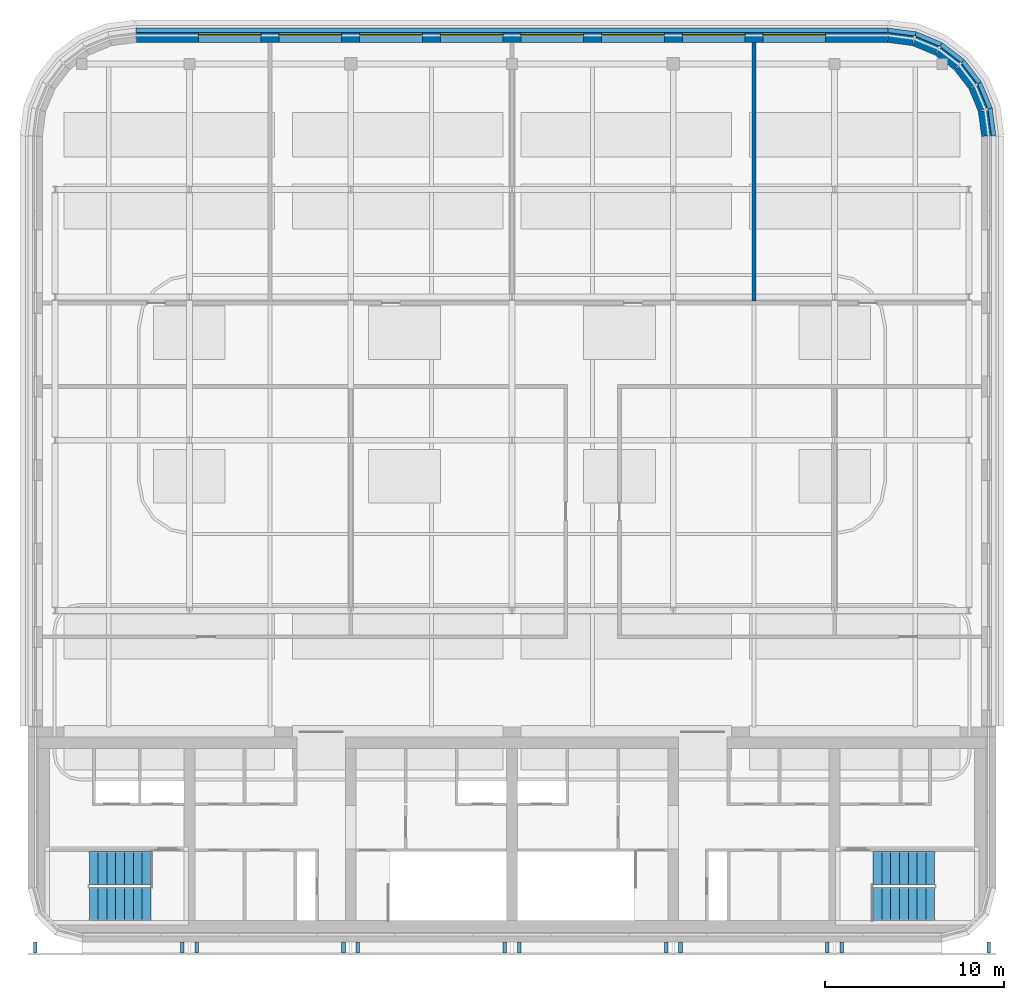
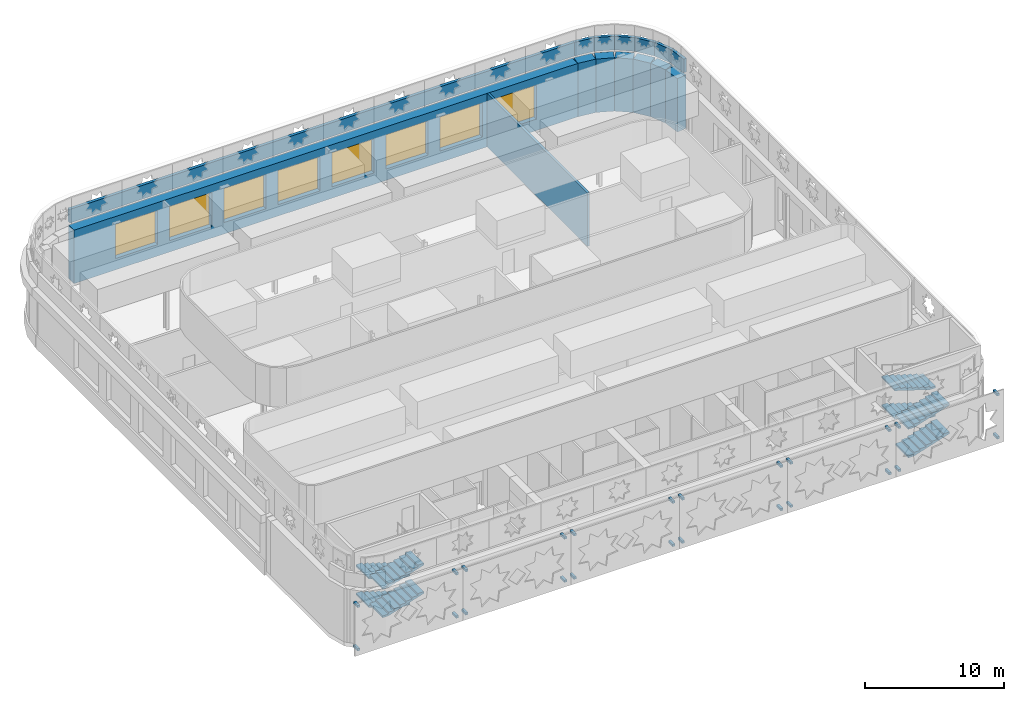
# One storey, part 9 of 14: 24 discrete accessories, 15 walls, 8 stair flights, 8 windows, 8 openings, 2 elements without a shape of their own.
"""IFC4 building model written with IfcOpenShell, lengths in metres."""

from ifc_helpers import new_model, si_unit, direction, frame, frame_2d, origin, origin_2d, place, context, subcontext, project, spatial, polyline, rectangle, outline, extrude, material, layer, layer_set, type_object, element, fill, aggregate, save


model = new_model("IFC4")

# Units and contexts
model_context = context("Model", 3, precision=1e-05, world=origin(), true_north=direction((0.0, 1.0)))
body_context = subcontext(model_context, "Body", "Model", "MODEL_VIEW")
ifc_project = project(units=[si_unit("LENGTHUNIT", "METRE"), si_unit("AREAUNIT", "SQUARE_METRE"), si_unit("VOLUMEUNIT", "CUBIC_METRE"), si_unit("PLANEANGLEUNIT", "RADIAN"), si_unit("MASSUNIT", "GRAM", prefix="KILO")], contexts=[model_context])

# Site, building, storey
site_placement = place(None, origin())
site = spatial("IfcSite", under=ifc_project, at=site_placement, CompositionType="ELEMENT")
building_placement = place(site_placement, origin())
building = spatial("IfcBuilding", under=site, at=building_placement, Name="Zellij Exchange Tower", CompositionType="ELEMENT")
storey_placement = place(building_placement, frame((0.0, 0.0, 305.5)))
storey = spatial("IfcBuildingStorey", under=building, at=storey_placement, Name="L71", CompositionType="ELEMENT", Elevation=305.5)

# Walls
ifc_material_1 = material(Name="Precast concrete C40/50", Category="concrete")
ifc_layer_1 = layer(ifc_material_1, 0.800048828125)
ifc_layer_set_1 = layer_set([ifc_layer_1], Name="Precast concrete C40/50")
wall_type_1 = type_object("IfcWallType", Name="ENV-EW1 Precast stone-piered wall 800", PredefinedType="SOLIDWALL", material=ifc_layer_set_1)
wall_1_placement = place(storey_placement, frame((26.5966796875, 30.999755859375, 0.0), z_axis=(0.0, 0.0, 1.0), x_axis=(-0.130517283865, 0.99144603414, 0.0)))
element("IfcWall", 1, at=wall_1_placement, inside=storey, type_object=wall_type_1, Name="fac.L71.05", PredefinedType="SOLIDWALL", context=body_context, shape_type="SweptSolid", body=[
    extrude(rectangle(XDim=1.408447265625, YDim=0.800048828125, at=frame_2d((0.7041015625, 0.0))), origin(), (0.0, 0.0, 1.0), 4.699951171875),
])
wall_2_placement = place(storey_placement, frame((26.3857421875, 32.497314453125, 0.0), z_axis=(0.0, 0.0, 1.0), x_axis=(-0.38276009378, 0.923847774587, 0.0)))
element("IfcWall", 2, at=wall_2_placement, inside=storey, type_object=wall_type_1, Name="fac.L71.06", PredefinedType="SOLIDWALL", context=body_context, shape_type="SweptSolid", body=[
    extrude(rectangle(XDim=1.35546875, YDim=0.800048828125, at=frame_2d((0.677734375, 0.0))), origin(), (0.0, 0.0, 1.0), 4.699951171875),
])
for number, where, z_axis, x_axis, name in (
    (3, (25.814697265625, 33.840087890625, 0.0), (0.0, 0.0, 1.0), (-0.608866226366, 0.793272915452, 0.0), "fac.L71.07"),
    (4, (24.91552734375, 34.9892578125, 0.0), (0.0, 0.0, 1.0), (-0.793272915452, 0.608866226366, 0.0), "fac.L71.08"),
):
    element("IfcWall", number, at=place(storey_placement, frame(where, z_axis=z_axis, x_axis=x_axis)), inside=storey, type_object=wall_type_1, Name=name, PredefinedType="SOLIDWALL", context=body_context, shape_type="SweptSolid", body=[
        extrude(rectangle(XDim=1.355712890625, YDim=0.800048828125, at=frame_2d((0.677734375, 0.0))), origin(), (0.0, 0.0, 1.0), 4.699951171875),
    ])
wall_3_placement = place(storey_placement, frame((23.74951171875, 35.866943359375, 0.0), z_axis=(0.0, 0.0, 1.0), x_axis=(-0.923847774587, 0.38276009378, 0.0)))
element("IfcWall", 5, at=wall_3_placement, inside=storey, type_object=wall_type_1, Name="fac.L71.09", PredefinedType="SOLIDWALL", context=body_context, shape_type="SweptSolid", body=[
    extrude(rectangle(XDim=1.35546875, YDim=0.800048828125, at=frame_2d((0.677734375, 0.0))), origin(), (0.0, 0.0, 1.0), 4.699951171875),
])
wall_4_placement = place(storey_placement, frame((22.396240234375, 36.412841796875, 0.0), z_axis=(0.0, 0.0, 1.0), x_axis=(-0.99144603414, 0.130517283865, 0.0)))
element("IfcWall", 6, at=wall_4_placement, inside=storey, type_object=wall_type_1, Name="fac.L71.10", PredefinedType="SOLIDWALL", context=body_context, shape_type="SweptSolid", body=[
    extrude(rectangle(XDim=1.408447265625, YDim=0.800048828125, at=frame_2d((0.7041015625, 0.0))), origin(), (0.0, 0.0, 1.0), 4.699951171875),
])

# Wall, openings, windows
wall_5_placement = place(storey_placement, frame((20.947509765625, 36.60009765625, 0.0), z_axis=(0.0, 0.0, 1.0), x_axis=(-1.0, 0.0, 0.0)))
wall_5 = element("IfcWall", 7, at=wall_5_placement, inside=storey, type_object=wall_type_1, Name="fac.L71.11", PredefinedType="SOLIDWALL", context=body_context, shape_type="SweptSolid", body=[
    extrude(rectangle(XDim=41.89501953125, YDim=0.800048828125, at=frame_2d((20.947509765625, 0.0))), origin(), (0.0, 0.0, 1.0), 4.699951171875),
])
opening_1_placement = place(wall_5_placement, frame((3.447509765625, 0.0, 1.0)))
opening_1 = element("IfcOpeningElement", 8, at=opening_1_placement, cuts=wall_5, Name="Opening FR.07", PredefinedType="OPENING", context=body_context, shape_type="SweptSolid", body=[
    extrude(rectangle(XDim=3.5, YDim=3.0, at=frame_2d((1.75, 1.5))), frame((0.0, 0.412109375, 0.0), z_axis=(0.0, -1.0, 0.0), x_axis=(1.0, 0.0, 0.0)), (0.0, 0.0, 1.0), 0.823974609375),
])
opening_2_placement = place(wall_5_placement, frame((7.947509765625, 0.0, 1.0)))
opening_2 = element("IfcOpeningElement", 9, at=opening_2_placement, cuts=wall_5, Name="Opening FR.08", PredefinedType="OPENING", context=body_context, shape_type="SweptSolid", body=[
    extrude(rectangle(XDim=3.5, YDim=3.0, at=frame_2d((1.75, 1.5))), frame((0.0, 0.412109375, 0.0), z_axis=(0.0, -1.0, 0.0), x_axis=(1.0, 0.0, 0.0)), (0.0, 0.0, 1.0), 0.823974609375),
])
opening_3_placement = place(wall_5_placement, frame((12.447509765625, 0.0, 1.0)))
opening_3 = element("IfcOpeningElement", 10, at=opening_3_placement, cuts=wall_5, Name="Opening FR.09", PredefinedType="OPENING", context=body_context, shape_type="SweptSolid", body=[
    extrude(rectangle(XDim=3.5, YDim=3.0, at=frame_2d((1.75, 1.5))), frame((0.0, 0.412109375, 0.0), z_axis=(0.0, -1.0, 0.0), x_axis=(1.0, 0.0, 0.0)), (0.0, 0.0, 1.0), 0.823974609375),
])
opening_4_placement = place(wall_5_placement, frame((16.947509765625, 0.0, 1.0)))
opening_4 = element("IfcOpeningElement", 11, at=opening_4_placement, cuts=wall_5, Name="Opening FR.10", PredefinedType="OPENING", context=body_context, shape_type="SweptSolid", body=[
    extrude(rectangle(XDim=3.5, YDim=3.0, at=frame_2d((1.75, 1.5))), frame((0.0, 0.412109375, 0.0), z_axis=(0.0, -1.0, 0.0), x_axis=(1.0, 0.0, 0.0)), (0.0, 0.0, 1.0), 0.823974609375),
])
opening_5_placement = place(wall_5_placement, frame((21.447509765625, 0.0, 1.0)))
opening_5 = element("IfcOpeningElement", 12, at=opening_5_placement, cuts=wall_5, Name="Opening FR.11", PredefinedType="OPENING", context=body_context, shape_type="SweptSolid", body=[
    extrude(rectangle(XDim=3.5, YDim=3.0, at=frame_2d((1.75, 1.5))), frame((0.0, 0.412109375, 0.0), z_axis=(0.0, -1.0, 0.0), x_axis=(1.0, 0.0, 0.0)), (0.0, 0.0, 1.0), 0.823974609375),
])
opening_6_placement = place(wall_5_placement, frame((25.947509765625, 0.0, 1.0)))
opening_6 = element("IfcOpeningElement", 13, at=opening_6_placement, cuts=wall_5, Name="Opening FR.12", PredefinedType="OPENING", context=body_context, shape_type="SweptSolid", body=[
    extrude(rectangle(XDim=3.5, YDim=3.0, at=frame_2d((1.75, 1.5))), frame((0.0, 0.412109375, 0.0), z_axis=(0.0, -1.0, 0.0), x_axis=(1.0, 0.0, 0.0)), (0.0, 0.0, 1.0), 0.823974609375),
])
opening_7_placement = place(wall_5_placement, frame((30.447509765625, 0.0, 1.0)))
opening_7 = element("IfcOpeningElement", 14, at=opening_7_placement, cuts=wall_5, Name="Opening FR.13", PredefinedType="OPENING", context=body_context, shape_type="SweptSolid", body=[
    extrude(rectangle(XDim=3.5, YDim=3.0, at=frame_2d((1.75, 1.5))), frame((0.0, 0.412109375, 0.0), z_axis=(0.0, -1.0, 0.0), x_axis=(1.0, 0.0, 0.0)), (0.0, 0.0, 1.0), 0.823974609375),
])
opening_8_placement = place(wall_5_placement, frame((34.947509765625, 0.0, 1.0)))
opening_8 = element("IfcOpeningElement", 15, at=opening_8_placement, cuts=wall_5, Name="Opening FR.14", PredefinedType="OPENING", context=body_context, shape_type="SweptSolid", body=[
    extrude(rectangle(XDim=3.5, YDim=3.0, at=frame_2d((1.75, 1.5))), frame((0.0, 0.412109375, 0.0), z_axis=(0.0, -1.0, 0.0), x_axis=(1.0, 0.0, 0.0)), (0.0, 0.0, 1.0), 0.823974609375),
])
ifc_material_2 = material(Name="Aluminium louvre", Category="aluminium")
window_type = type_object("IfcWindowType", Name="ENV-W4 Window 3500x3000", PartitioningType="SINGLE_PANEL", PredefinedType="WINDOW", material=ifc_material_2)
window_1_placement = place(opening_1_placement, origin())
window_1 = element("IfcWindow", 16, at=window_1_placement, inside=storey, type_object=window_type, Name="Window FR.07", OverallHeight=3.0, OverallWidth=3.5, PartitioningType="SINGLE_PANEL", PredefinedType="WINDOW", context=body_context, shape_type="SweptSolid", body=[
    extrude(rectangle(XDim=3.5, YDim=3.0, at=frame_2d((1.75, 1.5))), frame((0.0, 0.030029296875, 0.0), z_axis=(0.0, -1.0, 0.0), x_axis=(1.0, 0.0, 0.0)), (0.0, 0.0, 1.0), 0.06005859375),
])
fill(opening_1, window_1)
window_2_placement = place(opening_2_placement, origin())
window_2 = element("IfcWindow", 17, at=window_2_placement, inside=storey, type_object=window_type, Name="Window FR.08", OverallHeight=3.0, OverallWidth=3.5, PartitioningType="SINGLE_PANEL", PredefinedType="WINDOW", context=body_context, shape_type="SweptSolid", body=[
    extrude(rectangle(XDim=3.5, YDim=3.0, at=frame_2d((1.75, 1.5))), frame((0.0, 0.030029296875, 0.0), z_axis=(0.0, -1.0, 0.0), x_axis=(1.0, 0.0, 0.0)), (0.0, 0.0, 1.0), 0.06005859375),
])
fill(opening_2, window_2)
window_3_placement = place(opening_3_placement, origin())
window_3 = element("IfcWindow", 18, at=window_3_placement, inside=storey, type_object=window_type, Name="Window FR.09", OverallHeight=3.0, OverallWidth=3.5, PartitioningType="SINGLE_PANEL", PredefinedType="WINDOW", context=body_context, shape_type="SweptSolid", body=[
    extrude(rectangle(XDim=3.5, YDim=3.0, at=frame_2d((1.75, 1.5))), frame((0.0, 0.030029296875, 0.0), z_axis=(0.0, -1.0, 0.0), x_axis=(1.0, 0.0, 0.0)), (0.0, 0.0, 1.0), 0.06005859375),
])
fill(opening_3, window_3)
window_4_placement = place(opening_4_placement, origin())
window_4 = element("IfcWindow", 19, at=window_4_placement, inside=storey, type_object=window_type, Name="Window FR.10", OverallHeight=3.0, OverallWidth=3.5, PartitioningType="SINGLE_PANEL", PredefinedType="WINDOW", context=body_context, shape_type="SweptSolid", body=[
    extrude(rectangle(XDim=3.5, YDim=3.0, at=frame_2d((1.75, 1.5))), frame((0.0, 0.030029296875, 0.0), z_axis=(0.0, -1.0, 0.0), x_axis=(1.0, 0.0, 0.0)), (0.0, 0.0, 1.0), 0.06005859375),
])
fill(opening_4, window_4)
window_5_placement = place(opening_5_placement, origin())
window_5 = element("IfcWindow", 20, at=window_5_placement, inside=storey, type_object=window_type, Name="Window FR.11", OverallHeight=3.0, OverallWidth=3.5, PartitioningType="SINGLE_PANEL", PredefinedType="WINDOW", context=body_context, shape_type="SweptSolid", body=[
    extrude(rectangle(XDim=3.5, YDim=3.0, at=frame_2d((1.75, 1.5))), frame((0.0, 0.030029296875, 0.0), z_axis=(0.0, -1.0, 0.0), x_axis=(1.0, 0.0, 0.0)), (0.0, 0.0, 1.0), 0.06005859375),
])
fill(opening_5, window_5)
window_6_placement = place(opening_6_placement, origin())
window_6 = element("IfcWindow", 21, at=window_6_placement, inside=storey, type_object=window_type, Name="Window FR.12", OverallHeight=3.0, OverallWidth=3.5, PartitioningType="SINGLE_PANEL", PredefinedType="WINDOW", context=body_context, shape_type="SweptSolid", body=[
    extrude(rectangle(XDim=3.5, YDim=3.0, at=frame_2d((1.75, 1.5))), frame((0.0, 0.030029296875, 0.0), z_axis=(0.0, -1.0, 0.0), x_axis=(1.0, 0.0, 0.0)), (0.0, 0.0, 1.0), 0.06005859375),
])
fill(opening_6, window_6)
window_7_placement = place(opening_7_placement, origin())
window_7 = element("IfcWindow", 22, at=window_7_placement, inside=storey, type_object=window_type, Name="Window FR.13", OverallHeight=3.0, OverallWidth=3.5, PartitioningType="SINGLE_PANEL", PredefinedType="WINDOW", context=body_context, shape_type="SweptSolid", body=[
    extrude(rectangle(XDim=3.5, YDim=3.0, at=frame_2d((1.75, 1.5))), frame((0.0, 0.030029296875, 0.0), z_axis=(0.0, -1.0, 0.0), x_axis=(1.0, 0.0, 0.0)), (0.0, 0.0, 1.0), 0.06005859375),
])
fill(opening_7, window_7)
window_8_placement = place(opening_8_placement, origin())
window_8 = element("IfcWindow", 23, at=window_8_placement, inside=storey, type_object=window_type, Name="Window FR.14", OverallHeight=3.0, OverallWidth=3.5, PartitioningType="SINGLE_PANEL", PredefinedType="WINDOW", context=body_context, shape_type="SweptSolid", body=[
    extrude(rectangle(XDim=3.5, YDim=3.0, at=frame_2d((1.75, 1.5))), frame((0.0, 0.030029296875, 0.0), z_axis=(0.0, -1.0, 0.0), x_axis=(1.0, 0.0, 0.0)), (0.0, 0.0, 1.0), 0.06005859375),
])
fill(opening_8, window_8)

# Walls
ifc_layer_2 = layer(ifc_material_1, 0.25)
ifc_layer_set_2 = layer_set([ifc_layer_2], Name="Precast concrete C40/50")
wall_type_2 = type_object("IfcWallType", Name="ENV-PR1 Parapet 250", PredefinedType="PARAPET", material=ifc_layer_set_2)
wall_6_placement = place(storey_placement, frame((26.875, 30.99169921875, 5.0), z_axis=(0.0, 0.0, 1.0), x_axis=(-0.130483186444, 0.991450522243, 0.0)))
element("IfcWall", 24, at=wall_6_placement, inside=storey, type_object=wall_type_2, Name="fac.par.roof.05.00000.01", PredefinedType="PARAPET", context=body_context, shape_type="SweptSolid", body=[
    extrude(rectangle(XDim=1.541748046875, YDim=0.25, at=frame_2d((0.77099609375, 0.0))), origin(), (0.0, 0.0, 1.0), 1.199951171875),
])
wall_7_placement = place(storey_placement, frame((26.673828125, 32.520263671875, 5.0), z_axis=(0.0, 0.0, 1.0), x_axis=(-0.382726739509, 0.923861592916, 0.0)))
element("IfcWall", 25, at=wall_7_placement, inside=storey, type_object=wall_type_2, Name="fac.par.roof.06.00000.01", PredefinedType="PARAPET", context=body_context, shape_type="SweptSolid", body=[
    extrude(rectangle(XDim=1.533447265625, YDim=0.25, at=frame_2d((0.7666015625, 0.0))), origin(), (0.0, 0.0, 1.0), 1.199951171875),
])
for number, where, z_axis, x_axis, name in (
    (26, (26.0869140625, 33.93701171875, 5.0), (0.0, 0.0, 1.0), (-0.608879373703, 0.793262824213, 0.0), "fac.par.roof.07.00000.01"),
    (27, (25.1533203125, 35.1533203125, 5.0), (0.0, 0.0, 1.0), (-0.793262824213, 0.608879373703, 0.0), "fac.par.roof.08.00000.01"),
):
    element("IfcWall", number, at=place(storey_placement, frame(where, z_axis=z_axis, x_axis=x_axis)), inside=storey, type_object=wall_type_2, Name=name, PredefinedType="PARAPET", context=body_context, shape_type="SweptSolid", body=[
        extrude(rectangle(XDim=1.533203125, YDim=0.25, at=frame_2d((0.7666015625, 0.0))), origin(), (0.0, 0.0, 1.0), 1.199951171875),
    ])
wall_8_placement = place(storey_placement, frame((23.93701171875, 36.0869140625, 5.0), z_axis=(0.0, 0.0, 1.0), x_axis=(-0.923861592916, 0.382726739509, 0.0)))
element("IfcWall", 28, at=wall_8_placement, inside=storey, type_object=wall_type_2, Name="fac.par.roof.09.00000.01", PredefinedType="PARAPET", context=body_context, shape_type="SweptSolid", body=[
    extrude(rectangle(XDim=1.533447265625, YDim=0.25, at=frame_2d((0.7666015625, 0.0))), origin(), (0.0, 0.0, 1.0), 1.199951171875),
])
wall_9_placement = place(storey_placement, frame((22.520263671875, 36.673828125, 5.0), z_axis=(0.0, 0.0, 1.0), x_axis=(-0.991450522243, 0.130483186444, 0.0)))
element("IfcWall", 29, at=wall_9_placement, inside=storey, type_object=wall_type_2, Name="fac.par.roof.10.00000.01", PredefinedType="PARAPET", context=body_context, shape_type="SweptSolid", body=[
    extrude(rectangle(XDim=1.541748046875, YDim=0.25, at=frame_2d((0.77099609375, 0.0))), origin(), (0.0, 0.0, 1.0), 1.199951171875),
])
wall_10_placement = place(storey_placement, frame((20.99169921875, 36.875, 5.0), z_axis=(0.0, 0.0, 1.0), x_axis=(-1.0, 0.0, 0.0)))
element("IfcWall", 30, at=wall_10_placement, inside=storey, type_object=wall_type_2, Name="fac.par.roof.11.00000.01", PredefinedType="PARAPET", context=body_context, shape_type="SweptSolid", body=[
    extrude(rectangle(XDim=41.9833984375, YDim=0.25, at=frame_2d((20.99169921875, 0.0))), origin(), (0.0, 0.0, 1.0), 1.199951171875),
])
ifc_material_3 = material(Name="Blockwork fire wall", Category="masonry")
ifc_layer_3 = layer(ifc_material_3, 0.199951171875)
ifc_layer_set_3 = layer_set([ifc_layer_3], Name="Blockwork fire wall")
wall_type_3 = type_object("IfcWallType", Name="FIT-BLOCKWORK-200-EI120", PredefinedType="PARTITIONING", material=ifc_layer_set_3)
wall_11_placement = place(storey_placement, frame((13.5, 21.760009765625, 0.0), z_axis=(0.0, 0.0, 1.0), x_axis=(0.0, 1.0, 0.0)))
element("IfcWall", 31, at=wall_11_placement, inside=storey, type_object=wall_type_3, Name="FIT-BLOCKWORK-200-EI120 018", PredefinedType="PARTITIONING", context=body_context, shape_type="SweptSolid", body=[
    extrude(rectangle(XDim=14.43994140625, YDim=0.199951171875, at=frame_2d((7.219970703125, 0.0))), origin(), (0.0, 0.0, 1.0), 4.699951171875),
])

# Stair, stair flights
ifc_material_4 = material(Name="Concrete C40/50", Category="concrete")
stair_type = type_object("IfcStairType", Name="CORE-ST exit stair 1850 wide", PredefinedType="HALF_TURN_STAIR", material=ifc_material_4)
stair_1_placement = place(storey_placement, origin())
stair_1 = element("IfcStair", 32, at=stair_1_placement, inside=storey, type_object=stair_type, Name="L71 exit stair ST1", PredefinedType="HALF_TURN_STAIR")
stair_flight_type = type_object("IfcStairFlightType", Name="CORE-SF flight 1850 riser 156.2 going 490", PredefinedType="STRAIGHT", material=ifc_material_4)
stair_flight_1_placement = place(storey_placement, frame((-20.14990234375, -9.875, 0.0), z_axis=(0.0, 0.0, 1.0), x_axis=(-1.0, 0.0, 0.0)))
stair_flight_1 = element("IfcStairFlight", 33, at=stair_flight_1_placement, type_object=stair_flight_type, Name="ST1 flight 1", NumberOfRisers=8, NumberOfTreads=7, PredefinedType="STRAIGHT", RiserHeight=0.15625, TreadLength=0.49, context=body_context, shape_type="SweptSolid", body=[
    extrude(outline(polyline([(0.0, 0.0), (0.0, 0.15625), (0.489990234375, 0.15625), (0.489990234375, 0.3125), (0.97998046875, 0.3125), (0.97998046875, 0.46875), (1.469970703125, 0.46875), (1.469970703125, 0.625), (1.9599609375, 0.625), (1.9599609375, 0.78125), (2.449951171875, 0.78125), (2.449951171875, 0.9375), (2.93994140625, 0.9375), (2.93994140625, 1.09375), (3.429931640625, 1.09375), (3.429931640625, 1.25), (3.429931640625, 0.9365234375), (0.493408203125, 0.0), (0.0, 0.0)])), frame((0.0, 0.925048828125, 0.0), z_axis=(0.0, -1.0, 0.0), x_axis=(1.0, 0.0, 0.0)), (0.0, 0.0, 1.0), 1.85009765625),
])
stair_flight_2_placement = place(storey_placement, frame((-23.580078125, -11.875, 1.25), z_axis=(0.0, 0.0, 1.0), x_axis=(1.0, 0.0, 0.0)))
stair_flight_2 = element("IfcStairFlight", 34, at=stair_flight_2_placement, type_object=stair_flight_type, Name="ST1 flight 2", NumberOfRisers=8, NumberOfTreads=7, PredefinedType="STRAIGHT", RiserHeight=0.15625, TreadLength=0.49, context=body_context, shape_type="SweptSolid", body=[
    extrude(outline(polyline([(0.0, 0.0), (0.0, 0.15625), (0.489990234375, 0.15625), (0.489990234375, 0.3125), (0.97998046875, 0.3125), (0.97998046875, 0.46875), (1.469970703125, 0.46875), (1.469970703125, 0.625), (1.9599609375, 0.625), (1.9599609375, 0.78125), (2.449951171875, 0.78125), (2.449951171875, 0.9375), (2.93994140625, 0.9375), (2.93994140625, 1.09375), (3.429931640625, 1.09375), (3.429931640625, 1.25), (3.429931640625, 0.9365234375), (0.493408203125, 0.0), (0.0, 0.0)])), frame((0.0, 0.925048828125, 0.0), z_axis=(0.0, -1.0, 0.0), x_axis=(1.0, 0.0, 0.0)), (0.0, 0.0, 1.0), 1.85009765625),
])
stair_flight_3_placement = place(storey_placement, frame((-20.14990234375, -9.875, 2.5), z_axis=(0.0, 0.0, 1.0), x_axis=(-1.0, 0.0, 0.0)))
stair_flight_3 = element("IfcStairFlight", 35, at=stair_flight_3_placement, type_object=stair_flight_type, Name="ST1 flight 3", NumberOfRisers=8, NumberOfTreads=7, PredefinedType="STRAIGHT", RiserHeight=0.15625, TreadLength=0.49, context=body_context, shape_type="SweptSolid", body=[
    extrude(outline(polyline([(0.0, 0.0), (0.0, 0.15625), (0.489990234375, 0.15625), (0.489990234375, 0.3125), (0.97998046875, 0.3125), (0.97998046875, 0.46875), (1.469970703125, 0.46875), (1.469970703125, 0.625), (1.9599609375, 0.625), (1.9599609375, 0.78125), (2.449951171875, 0.78125), (2.449951171875, 0.9375), (2.93994140625, 0.9375), (2.93994140625, 1.09375), (3.429931640625, 1.09375), (3.429931640625, 1.25), (3.429931640625, 0.9365234375), (0.493408203125, 0.0), (0.0, 0.0)])), frame((0.0, 0.925048828125, 0.0), z_axis=(0.0, -1.0, 0.0), x_axis=(1.0, 0.0, 0.0)), (0.0, 0.0, 1.0), 1.85009765625),
])
stair_flight_4_placement = place(storey_placement, frame((-23.580078125, -11.875, 3.75), z_axis=(0.0, 0.0, 1.0), x_axis=(1.0, 0.0, 0.0)))
stair_flight_4 = element("IfcStairFlight", 36, at=stair_flight_4_placement, type_object=stair_flight_type, Name="ST1 flight 4", NumberOfRisers=8, NumberOfTreads=7, PredefinedType="STRAIGHT", RiserHeight=0.15625, TreadLength=0.49, context=body_context, shape_type="SweptSolid", body=[
    extrude(outline(polyline([(0.0, 0.0), (0.0, 0.15625), (0.489990234375, 0.15625), (0.489990234375, 0.3125), (0.97998046875, 0.3125), (0.97998046875, 0.46875), (1.469970703125, 0.46875), (1.469970703125, 0.625), (1.9599609375, 0.625), (1.9599609375, 0.78125), (2.449951171875, 0.78125), (2.449951171875, 0.9375), (2.93994140625, 0.9375), (2.93994140625, 1.09375), (3.429931640625, 1.09375), (3.429931640625, 1.25), (3.429931640625, 0.9365234375), (0.493408203125, 0.0), (0.0, 0.0)])), frame((0.0, 0.925048828125, 0.0), z_axis=(0.0, -1.0, 0.0), x_axis=(1.0, 0.0, 0.0)), (0.0, 0.0, 1.0), 1.85009765625),
])
aggregate(stair_1, [stair_flight_1, stair_flight_2, stair_flight_3, stair_flight_4])

stair_2_placement = place(storey_placement, origin())
stair_2 = element("IfcStair", 37, at=stair_2_placement, inside=storey, type_object=stair_type, Name="L71 exit stair ST4", PredefinedType="HALF_TURN_STAIR")
stair_flight_5_placement = place(storey_placement, frame((20.14990234375, -11.875, 0.0), z_axis=(0.0, 0.0, 1.0), x_axis=(1.0, 0.0, 0.0)))
stair_flight_5 = element("IfcStairFlight", 38, at=stair_flight_5_placement, type_object=stair_flight_type, Name="ST4 flight 1", NumberOfRisers=8, NumberOfTreads=7, PredefinedType="STRAIGHT", RiserHeight=0.15625, TreadLength=0.49, context=body_context, shape_type="SweptSolid", body=[
    extrude(outline(polyline([(0.0, 0.0), (0.0, 0.15625), (0.489990234375, 0.15625), (0.489990234375, 0.3125), (0.97998046875, 0.3125), (0.97998046875, 0.46875), (1.469970703125, 0.46875), (1.469970703125, 0.625), (1.9599609375, 0.625), (1.9599609375, 0.78125), (2.449951171875, 0.78125), (2.449951171875, 0.9375), (2.93994140625, 0.9375), (2.93994140625, 1.09375), (3.429931640625, 1.09375), (3.429931640625, 1.25), (3.429931640625, 0.9365234375), (0.493408203125, 0.0), (0.0, 0.0)])), frame((0.0, 0.925048828125, 0.0), z_axis=(0.0, -1.0, 0.0), x_axis=(1.0, 0.0, 0.0)), (0.0, 0.0, 1.0), 1.85009765625),
])
stair_flight_6_placement = place(storey_placement, frame((23.580078125, -9.875, 1.25), z_axis=(0.0, 0.0, 1.0), x_axis=(-1.0, 0.0, 0.0)))
stair_flight_6 = element("IfcStairFlight", 39, at=stair_flight_6_placement, type_object=stair_flight_type, Name="ST4 flight 2", NumberOfRisers=8, NumberOfTreads=7, PredefinedType="STRAIGHT", RiserHeight=0.15625, TreadLength=0.49, context=body_context, shape_type="SweptSolid", body=[
    extrude(outline(polyline([(0.0, 0.0), (0.0, 0.15625), (0.489990234375, 0.15625), (0.489990234375, 0.3125), (0.97998046875, 0.3125), (0.97998046875, 0.46875), (1.469970703125, 0.46875), (1.469970703125, 0.625), (1.9599609375, 0.625), (1.9599609375, 0.78125), (2.449951171875, 0.78125), (2.449951171875, 0.9375), (2.93994140625, 0.9375), (2.93994140625, 1.09375), (3.429931640625, 1.09375), (3.429931640625, 1.25), (3.429931640625, 0.9365234375), (0.493408203125, 0.0), (0.0, 0.0)])), frame((0.0, 0.925048828125, 0.0), z_axis=(0.0, -1.0, 0.0), x_axis=(1.0, 0.0, 0.0)), (0.0, 0.0, 1.0), 1.85009765625),
])
stair_flight_7_placement = place(storey_placement, frame((20.14990234375, -11.875, 2.5), z_axis=(0.0, 0.0, 1.0), x_axis=(1.0, 0.0, 0.0)))
stair_flight_7 = element("IfcStairFlight", 40, at=stair_flight_7_placement, type_object=stair_flight_type, Name="ST4 flight 3", NumberOfRisers=8, NumberOfTreads=7, PredefinedType="STRAIGHT", RiserHeight=0.15625, TreadLength=0.49, context=body_context, shape_type="SweptSolid", body=[
    extrude(outline(polyline([(0.0, 0.0), (0.0, 0.15625), (0.489990234375, 0.15625), (0.489990234375, 0.3125), (0.97998046875, 0.3125), (0.97998046875, 0.46875), (1.469970703125, 0.46875), (1.469970703125, 0.625), (1.9599609375, 0.625), (1.9599609375, 0.78125), (2.449951171875, 0.78125), (2.449951171875, 0.9375), (2.93994140625, 0.9375), (2.93994140625, 1.09375), (3.429931640625, 1.09375), (3.429931640625, 1.25), (3.429931640625, 0.9365234375), (0.493408203125, 0.0), (0.0, 0.0)])), frame((0.0, 0.925048828125, 0.0), z_axis=(0.0, -1.0, 0.0), x_axis=(1.0, 0.0, 0.0)), (0.0, 0.0, 1.0), 1.85009765625),
])
stair_flight_8_placement = place(storey_placement, frame((23.580078125, -9.875, 3.75), z_axis=(0.0, 0.0, 1.0), x_axis=(-1.0, 0.0, 0.0)))
stair_flight_8 = element("IfcStairFlight", 41, at=stair_flight_8_placement, type_object=stair_flight_type, Name="ST4 flight 4", NumberOfRisers=8, NumberOfTreads=7, PredefinedType="STRAIGHT", RiserHeight=0.15625, TreadLength=0.49, context=body_context, shape_type="SweptSolid", body=[
    extrude(outline(polyline([(0.0, 0.0), (0.0, 0.15625), (0.489990234375, 0.15625), (0.489990234375, 0.3125), (0.97998046875, 0.3125), (0.97998046875, 0.46875), (1.469970703125, 0.46875), (1.469970703125, 0.625), (1.9599609375, 0.625), (1.9599609375, 0.78125), (2.449951171875, 0.78125), (2.449951171875, 0.9375), (2.93994140625, 0.9375), (2.93994140625, 1.09375), (3.429931640625, 1.09375), (3.429931640625, 1.25), (3.429931640625, 0.9365234375), (0.493408203125, 0.0), (0.0, 0.0)])), frame((0.0, 0.925048828125, 0.0), z_axis=(0.0, -1.0, 0.0), x_axis=(1.0, 0.0, 0.0)), (0.0, 0.0, 1.0), 1.85009765625),
])
aggregate(stair_2, [stair_flight_5, stair_flight_6, stair_flight_7, stair_flight_8])

# Discrete accessories
ifc_material_5 = material(Name="Stainless steel", Category="steel")
discrete_accessory_type = type_object("IfcDiscreteAccessoryType", Name="ENV-BR1 Stone panel bracket 200", PredefinedType="USERDEFINED", material=ifc_material_5)
for number, where, z_axis, x_axis, name in (
    (42, (-26.60009765625, -14.300048828125, 0.5), (0.0, 0.0, 1.0), (1.0, 0.0, 0.0), "Panel bracket"),
    (43, (-26.60009765625, -14.300048828125, 4.2998046875), (0.0, 0.0, 1.0), (1.0, 0.0, 0.0), "Panel bracket"),
    (44, (-18.39990234375, -14.300048828125, 0.5), (0.0, 0.0, 1.0), (1.0, 0.0, 0.0), "Panel bracket"),
    (45, (-18.39990234375, -14.300048828125, 4.2998046875), (0.0, 0.0, 1.0), (1.0, 0.0, 0.0), "Panel bracket"),
    (46, (-17.60009765625, -14.300048828125, 0.5), (0.0, 0.0, 1.0), (1.0, 0.0, 0.0), "Panel bracket"),
    (47, (-17.60009765625, -14.300048828125, 4.2998046875), (0.0, 0.0, 1.0), (1.0, 0.0, 0.0), "Panel bracket"),
    (48, (-9.39990234375, -14.300048828125, 0.5), (0.0, 0.0, 1.0), (1.0, 0.0, 0.0), "Panel bracket"),
    (49, (-9.39990234375, -14.300048828125, 4.2998046875), (0.0, 0.0, 1.0), (1.0, 0.0, 0.0), "Panel bracket"),
    (50, (-8.60009765625, -14.300048828125, 0.5), (0.0, 0.0, 1.0), (1.0, 0.0, 0.0), "Panel bracket"),
    (51, (-8.60009765625, -14.300048828125, 4.2998046875), (0.0, 0.0, 1.0), (1.0, 0.0, 0.0), "Panel bracket"),
    (52, (-0.39990234375, -14.300048828125, 0.5), (0.0, 0.0, 1.0), (1.0, 0.0, 0.0), "Panel bracket"),
    (53, (-0.39990234375, -14.300048828125, 4.2998046875), (0.0, 0.0, 1.0), (1.0, 0.0, 0.0), "Panel bracket"),
    (54, (0.39990234375, -14.300048828125, 0.5), (0.0, 0.0, 1.0), (1.0, 0.0, 0.0), "Panel bracket"),
    (55, (0.39990234375, -14.300048828125, 4.2998046875), (0.0, 0.0, 1.0), (1.0, 0.0, 0.0), "Panel bracket"),
    (56, (8.60009765625, -14.300048828125, 0.5), (0.0, 0.0, 1.0), (1.0, 0.0, 0.0), "Panel bracket"),
    (57, (8.60009765625, -14.300048828125, 4.2998046875), (0.0, 0.0, 1.0), (1.0, 0.0, 0.0), "Panel bracket"),
    (58, (9.39990234375, -14.300048828125, 0.5), (0.0, 0.0, 1.0), (1.0, 0.0, 0.0), "Panel bracket"),
    (59, (9.39990234375, -14.300048828125, 4.2998046875), (0.0, 0.0, 1.0), (1.0, 0.0, 0.0), "Panel bracket"),
    (60, (17.60009765625, -14.300048828125, 0.5), (0.0, 0.0, 1.0), (1.0, 0.0, 0.0), "Panel bracket"),
    (61, (17.60009765625, -14.300048828125, 4.2998046875), (0.0, 0.0, 1.0), (1.0, 0.0, 0.0), "Panel bracket"),
    (62, (18.39990234375, -14.300048828125, 0.5), (0.0, 0.0, 1.0), (1.0, 0.0, 0.0), "Panel bracket"),
    (63, (18.39990234375, -14.300048828125, 4.2998046875), (0.0, 0.0, 1.0), (1.0, 0.0, 0.0), "Panel bracket"),
    (64, (26.60009765625, -14.300048828125, 0.5), (0.0, 0.0, 1.0), (1.0, 0.0, 0.0), "Panel bracket"),
    (65, (26.60009765625, -14.300048828125, 4.2998046875), (0.0, 0.0, 1.0), (1.0, 0.0, 0.0), "Panel bracket"),
):
    element("IfcDiscreteAccessory", number, at=place(storey_placement, frame(where, z_axis=z_axis, x_axis=x_axis)), inside=storey, type_object=discrete_accessory_type, Name=name, ObjectType="BRACKET", PredefinedType="USERDEFINED", context=body_context, shape_type="SweptSolid", body=[
        extrude(rectangle(XDim=0.199951171875, YDim=0.60009765625, at=origin_2d()), origin(), (0.0, 0.0, 1.0), 0.199951171875),
    ])

save(model, "model.ifc")
